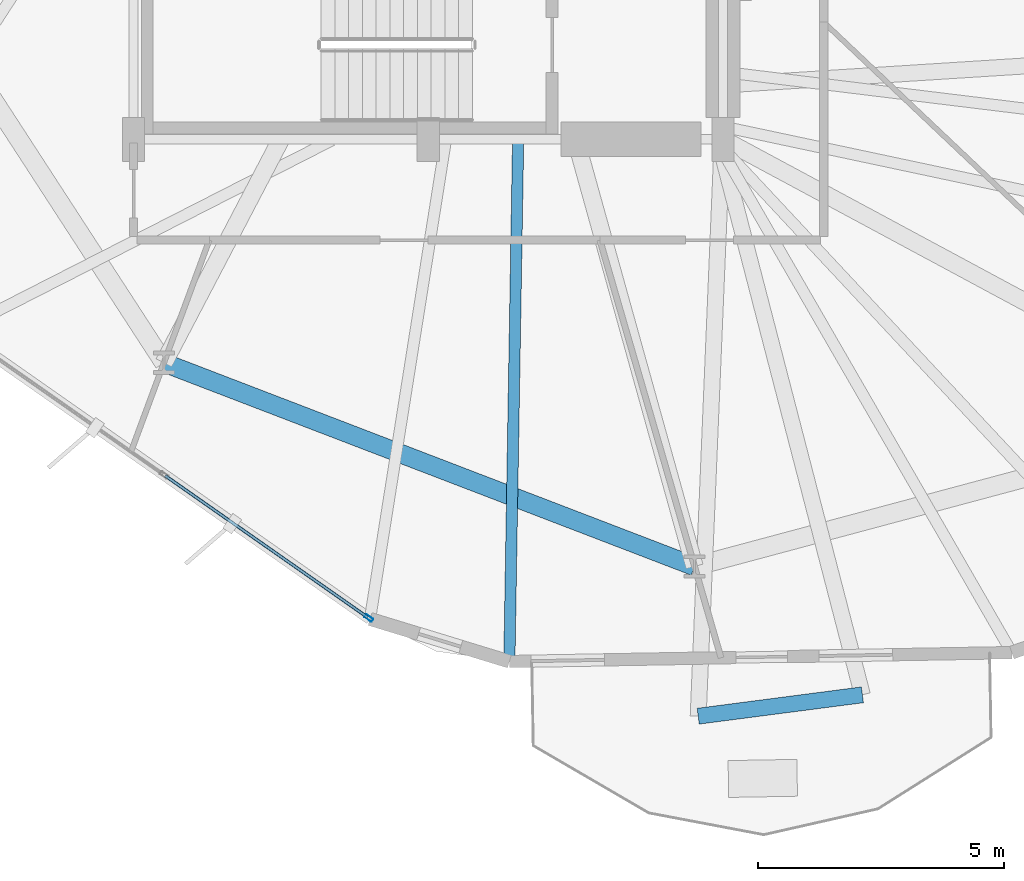
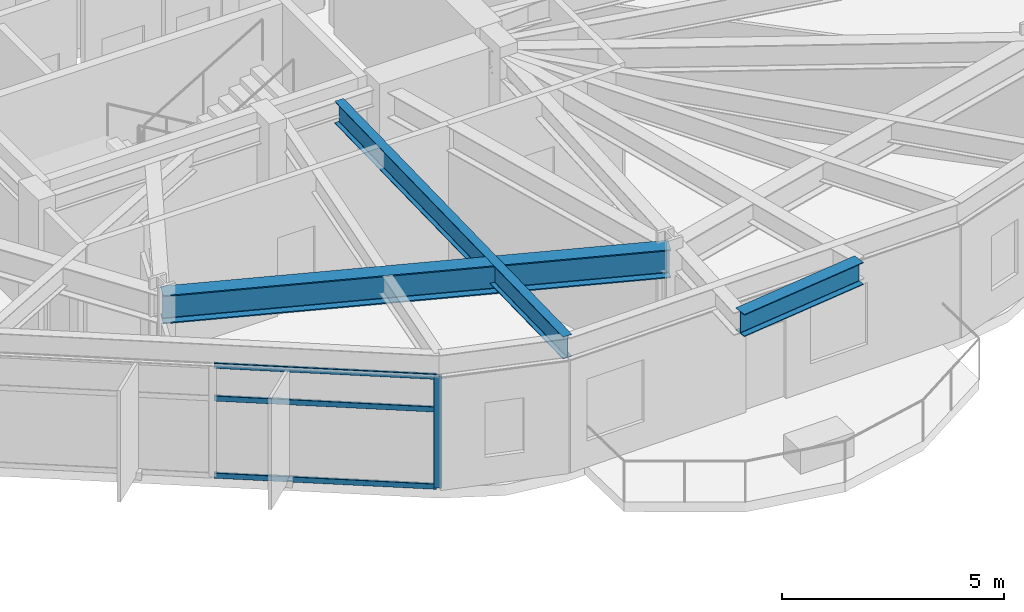
# One storey, part 4 of 23: 4 members, 3 beams, 1 element without a shape of its own.
"""IFC4 building model written with IfcOpenShell, lengths in metres."""

import ifcopenshell
import ifcopenshell.guid

model = None  # the IFC model being written
_history = None  # IfcOwnerHistory: only IFC2X3 demands one
_inside = {}  # id of a spatial element -> (the spatial element, [elements in it])
_under = {}  # id of a project, library or spatial element -> (it, [spatial elements below it])
_declared = {}  # id of a project -> (the project, [libraries it declares])
_typed = {}  # id of a type object -> (the type object, [elements of that type])
_made_of = {}  # id of a material, layer set ... -> (it, [elements and type objects made of it])


def new_model(schema):
    """Start an empty IFC model of exactly this schema.

    Asked for "IFC4X3", IfcOpenShell would pick the latest addendum, in which some entities
    have other attributes; the version numbers below select the first issue.
    IFC2X3 requires an IfcOwnerHistory on every rooted entity: one is made here for all.
    """
    global model, _history
    if schema == "IFC4X3":
        model = ifcopenshell.file(schema_version=(4, 3, 0, 0))
    else:
        model = ifcopenshell.file(schema=schema)
    _inside.clear()
    _under.clear()
    _declared.clear()
    _typed.clear()
    _made_of.clear()
    _history = None
    if model.schema == "IFC2X3":
        org = make("IfcOrganization", Name="unknown")
        user = make(
            "IfcPersonAndOrganization",
            ThePerson=make("IfcPerson", FamilyName="unknown"),
            TheOrganization=org,
        )
        app = make(
            "IfcApplication",
            ApplicationDeveloper=org,
            Version="unknown",
            ApplicationFullName="unknown",
            ApplicationIdentifier="unknown",
        )
        _history = make(
            "IfcOwnerHistory",
            OwningUser=user,
            OwningApplication=app,
            ChangeAction="ADDED",
            CreationDate=0,
        )
    return model


def make(cls, **values):
    """One entity of the class cls with the attributes given. An attribute that is None is left unset."""
    return model.create_entity(
        cls, **{name: value for name, value in values.items() if value is not None}
    )


def rooted(cls, **values):
    """An entity with a GlobalId (a new one), such as an element, a storey or a relation."""
    return make(cls, GlobalId=ifcopenshell.guid.new(), OwnerHistory=_history, **values)


def si_unit(unit_type, name, prefix=None):
    """IfcSIUnit, for example si_unit("LENGTHUNIT", "METRE", prefix="MILLI")."""
    return make("IfcSIUnit", UnitType=unit_type, Prefix=prefix, Name=name)


def assignment(units):
    """IfcUnitAssignment: the units of a project."""
    return None if units is None else make("IfcUnitAssignment", Units=units)


def point(xyz):
    """IfcCartesianPoint."""
    return None if xyz is None else make("IfcCartesianPoint", Coordinates=xyz)


def direction(xyz):
    """IfcDirection."""
    return None if xyz is None else make("IfcDirection", DirectionRatios=xyz)


def frame(location, z_axis=None, x_axis=None):
    """IfcAxis2Placement3D, a coordinate frame: its origin and axes. An axis left out is left unset."""
    return make(
        "IfcAxis2Placement3D",
        Location=point(location),
        Axis=direction(z_axis),
        RefDirection=direction(x_axis),
    )


def frame_2d(location, x_axis=None):
    """IfcAxis2Placement2D, a coordinate frame in the plane: its origin and x axis."""
    return make(
        "IfcAxis2Placement2D", Location=point(location), RefDirection=direction(x_axis)
    )


def origin():
    """The frame at (0, 0, 0) with its axes left unset."""
    return frame((0.0, 0.0, 0.0))


def origin_2d():
    """The frame at (0, 0) in the plane with its x axis left unset."""
    return frame_2d((0.0, 0.0))


def place(relative_to, where):
    """IfcLocalPlacement: puts the frame where relative to a parent placement (None: the world)."""
    return make(
        "IfcLocalPlacement", PlacementRelTo=relative_to, RelativePlacement=where
    )


def context(
    kind, dimensions, precision=None, world=None, true_north=None, identifier=None
):
    """IfcGeometricRepresentationContext, for example the 3D "Model" context."""
    return make(
        "IfcGeometricRepresentationContext",
        ContextIdentifier=identifier,
        ContextType=kind,
        CoordinateSpaceDimension=dimensions,
        Precision=precision,
        WorldCoordinateSystem=world,
        TrueNorth=true_north,
    )


def subcontext(parent, identifier, kind, view, scale=None):
    """IfcGeometricRepresentationSubContext, for example "Body" below "Model"."""
    return make(
        "IfcGeometricRepresentationSubContext",
        ContextIdentifier=identifier,
        ContextType=kind,
        ParentContext=parent,
        TargetScale=scale,
        TargetView=view,
    )


def project(units=None, contexts=None):
    """IfcProject with its units and contexts."""
    return rooted(
        "IfcProject",
        Name="project",
        RepresentationContexts=contexts,
        UnitsInContext=assignment(units),
    )


def spatial(cls, under=None, at=None, **own):
    """A site, building, storey or space (cls), placed at a placement, below another one or the project."""
    s = rooted(cls, ObjectPlacement=at, **own)
    if under is not None:
        _under.setdefault(under.id(), (under, []))[1].append(s)
    return s


def profile(cls, at=None, kind="AREA", **sizes):
    """A parametric profile (cls). Its sizes go by their IFC names, for example OverallWidth=200.0."""
    return make(cls, ProfileType=kind, Position=at, **sizes)


def hollow_rectangle(**sizes):
    """IfcRectangleHollowProfileDef."""
    return profile("IfcRectangleHollowProfileDef", **sizes)


def i_section(**sizes):
    """IfcIShapeProfileDef."""
    return profile("IfcIShapeProfileDef", **sizes)


def extrude(swept, where, along, depth):
    """IfcExtrudedAreaSolid: the profile swept, set in the frame where, extruded along a direction by depth."""
    return make(
        "IfcExtrudedAreaSolid",
        SweptArea=swept,
        Position=where,
        ExtrudedDirection=direction(along),
        Depth=depth,
    )


def shape(context_of_items, identifier, shape_type, items):
    """IfcShapeRepresentation: the items that make up one representation, for example the "Body"."""
    return make(
        "IfcShapeRepresentation",
        ContextOfItems=context_of_items,
        RepresentationIdentifier=identifier,
        RepresentationType=shape_type,
        Items=items,
    )


def material(Name=None, Category=None):
    """IfcMaterial."""
    return make("IfcMaterial", Name=Name, Category=Category)


def layer(
    of_material, thickness, ventilated=None, Name=None, Category=None, Priority=None
):
    """IfcMaterialLayer: one layer of a wall or slab, of a material (None: an air gap)."""
    return make(
        "IfcMaterialLayer",
        Material=of_material,
        LayerThickness=thickness,
        IsVentilated=ventilated,
        Name=Name,
        Category=Category,
        Priority=Priority,
    )


def layer_set(layers, Name=None):
    """IfcMaterialLayerSet."""
    return make("IfcMaterialLayerSet", MaterialLayers=layers, LayerSetName=Name)


def material_profile(
    of_material, cross_section, Name=None, Category=None, Priority=None
):
    """IfcMaterialProfile: a cross section and its material."""
    return make(
        "IfcMaterialProfile",
        Name=Name,
        Material=of_material,
        Profile=cross_section,
        Priority=Priority,
        Category=Category,
    )


def profile_set(profiles, Name=None, composite=None):
    """IfcMaterialProfileSet."""
    return make(
        "IfcMaterialProfileSet",
        Name=Name,
        MaterialProfiles=profiles,
        CompositeProfile=composite,
    )


def made_of(thing, what):
    """Note that an element or type object is made of a material, layer set ...; save() writes the relation."""
    if what is not None:
        _made_of.setdefault(what.id(), (what, []))[1].append(thing)
    return thing


def type_object(cls, material=None, **own):
    """A type object (cls), such as IfcWallType, which elements share."""
    return made_of(rooted(cls, **own), material)


def element(
    cls,
    number,
    at=None,
    inside=None,
    cuts=None,
    type_object=None,
    material=None,
    context=None,
    identifier="Body",
    shape_type=None,
    held_by="IfcProductDefinitionShape",
    body=None,
    shapes=None,
    **own,
):
    """One element of the class cls, such as IfcWall. Its Tag is "e" and its number.

    at: its placement. inside: the storey or other place that contains it. cuts: it is an
    opening in that element (IfcRelVoidsElement). A single representation is given by context,
    identifier, shape_type and body (its items); several are given by shapes. held_by: the class
    of the entity that holds the representations. save() writes the other relations.
    """
    e = rooted(cls, Tag="e%d" % number, ObjectPlacement=at, **own)
    if body is not None:
        shapes = [shape(context, identifier, shape_type, body)]
    if shapes is not None:
        e.Representation = make(held_by, Representations=shapes)
    if inside is not None:
        _inside.setdefault(inside.id(), (inside, []))[1].append(e)
    if cuts is not None:
        rooted(
            "IfcRelVoidsElement", RelatingBuildingElement=cuts, RelatedOpeningElement=e
        )
    if type_object is not None:
        _typed.setdefault(type_object.id(), (type_object, []))[1].append(e)
    return made_of(e, material)


def aggregate(whole, parts):
    """IfcRelAggregates: a whole, such as a stair, and the parts it consists of."""
    return rooted("IfcRelAggregates", RelatingObject=whole, RelatedObjects=parts)


def save(model, path):
    """Write the relations noted so far, then the file.

    IfcRelAggregates (storeys below a building ...), IfcRelContainedInSpatialStructure (elements
    in a storey), IfcRelDefinesByType, IfcRelAssociatesMaterial and IfcRelDeclares: one each for
    every whole, place, type object, material and project.
    """
    for whole, parts in _under.values():
        aggregate(whole, parts)
    for where, things in _inside.values():
        rooted(
            "IfcRelContainedInSpatialStructure",
            RelatedElements=things,
            RelatingStructure=where,
        )
    for kind, things in _typed.values():
        rooted("IfcRelDefinesByType", RelatedObjects=things, RelatingType=kind)
    for what, things in _made_of.values():
        rooted("IfcRelAssociatesMaterial", RelatedObjects=things, RelatingMaterial=what)
    for by, libraries in _declared.values():
        rooted("IfcRelDeclares", RelatingContext=by, RelatedDefinitions=libraries)
    model.write(path)


model = new_model("IFC4")

# Units and contexts
model_context = context("Model", 3, precision=1e-05, world=origin(), true_north=direction((0.0, 1.0)))
body_context = subcontext(model_context, "Body", "Model", "MODEL_VIEW")
ifc_project = project(units=[si_unit("LENGTHUNIT", "METRE"), si_unit("AREAUNIT", "SQUARE_METRE"), si_unit("VOLUMEUNIT", "CUBIC_METRE"), si_unit("PLANEANGLEUNIT", "RADIAN"), si_unit("MASSUNIT", "GRAM", prefix="KILO")], contexts=[model_context])

# Site, building, storey
site_placement = place(None, origin())
site = spatial("IfcSite", under=ifc_project, at=site_placement, CompositionType="ELEMENT")
building_placement = place(site_placement, origin())
building = spatial("IfcBuilding", under=site, at=building_placement, Name="Soratama Intermodal Tower", CompositionType="ELEMENT")
storey_placement = place(building_placement, frame((0.0, 0.0, 30.60009765625)))
storey = spatial("IfcBuildingStorey", under=building, at=storey_placement, Name="L06", CompositionType="ELEMENT", Elevation=30.60009765625)

# Beams
ifc_material_1 = material(Name="Structural steel ASTM A992 Grade 50", Category="steel")
ifc_material_profile_1 = material_profile(ifc_material_1, i_section(OverallWidth=0.324951171875, OverallDepth=0.615966796875, WebThickness=0.013916015625, FlangeThickness=0.021484375, FilletRadius=0.013916015625, at=origin_2d()), Name="W24X117")
ifc_profile_set_1 = profile_set([ifc_material_profile_1], Name="Structural steel ASTM A992 Grade 50")
beam_type_1 = type_object("IfcBeamType", Name="BM-CANT-W24X117", PredefinedType="BEAM", material=ifc_profile_set_1)
beam_1_placement = place(storey_placement, frame((44.094970703125, 3.257080078125, 3.391845703125), z_axis=(0.991647190319, 0.12898003695, 0.0), x_axis=(-0.12898003695, 0.991647190319, 0.0)))
element("IfcBeam", 1, at=beam_1_placement, inside=storey, type_object=beam_type_1, Name="BM-L06-CBHDR-4", PredefinedType="BEAM", context=body_context, shape_type="SweptSolid", body=[
    extrude(i_section(OverallWidth=0.324951171875, OverallDepth=0.615966796875, WebThickness=0.013916015625, FlangeThickness=0.021484375, FilletRadius=0.013916015625, at=origin_2d()), origin(), (0.0, 0.0, 1.0), 3.37109375),
])
ifc_material_2 = material(Name="Structural steel ASTM A992 Grade 50", Category="steel")
ifc_material_profile_2 = material_profile(ifc_material_2, i_section(OverallWidth=0.382080078125, OverallDepth=0.779052734375, WebThickness=0.01806640625, FlangeThickness=0.030029296875, FilletRadius=0.01806640625, at=origin_2d()), Name="W30X191")
ifc_profile_set_2 = profile_set([ifc_material_profile_2], Name="Structural steel ASTM A992 Grade 50")
beam_type_2 = type_object("IfcBeamType", Name="BM-RING-W30X191", PredefinedType="BEAM", material=ifc_profile_set_2)
beam_2_placement = place(storey_placement, frame((33.218994140625, 10.451904296875, 3.310302734375), z_axis=(0.933584159632, -0.358358224246, 0.0), x_axis=(0.358358224246, 0.933584159632, 0.0)))
element("IfcBeam", 2, at=beam_2_placement, inside=storey, type_object=beam_type_2, Name="BM-L06-RING-07", PredefinedType="BEAM", context=body_context, shape_type="SweptSolid", body=[
    extrude(i_section(OverallWidth=0.382080078125, OverallDepth=0.779052734375, WebThickness=0.01806640625, FlangeThickness=0.030029296875, FilletRadius=0.01806640625, at=origin_2d()), origin(), (0.0, 0.0, 1.0), 11.5693359375),
])
ifc_material_3 = material(Name="Structural steel ASTM A992 Grade 50", Category="steel")
ifc_material_profile_3 = material_profile(ifc_material_3, i_section(OverallWidth=0.22900390625, OverallDepth=0.612060546875, WebThickness=0.011962890625, FlangeThickness=0.01953125, FilletRadius=0.012939453125, at=origin_2d()), Name="W24X84")
ifc_profile_set_3 = profile_set([ifc_material_profile_3], Name="Structural steel ASTM A992 Grade 50")
beam_type_3 = type_object("IfcBeamType", Name="BM-TIE-W24X84", PredefinedType="BEAM", material=ifc_profile_set_3)
beam_3_placement = place(storey_placement, frame((40.428955078125, 14.9599609375, 3.393798828125), z_axis=(-0.016802219614, -0.999858832744, 0.0), x_axis=(0.999858832744, -0.016802219614, 0.0)))
element("IfcBeam", 3, at=beam_3_placement, inside=storey, type_object=beam_type_3, Name="BM-L06-TIE0-08", PredefinedType="BEAM", context=body_context, shape_type="SweptSolid", body=[
    extrude(i_section(OverallWidth=0.22900390625, OverallDepth=0.612060546875, WebThickness=0.011962890625, FlangeThickness=0.01953125, FilletRadius=0.012939453125, at=origin_2d()), origin(), (0.0, 0.0, 1.0), 10.592529296875),
])

# Curtain wall, members
ifc_material_4 = material(Name="Double-glazed aluminium curtain wall", Category="aluminium")
ifc_layer = layer(ifc_material_4, 0.159912109375)
ifc_layer_set = layer_set([ifc_layer], Name="Double-glazed aluminium curtain wall")
curtain_wall_type = type_object("IfcCurtainWallType", Name="CW-SYS-2", PredefinedType="NOTDEFINED", material=ifc_layer_set)
curtain_wall_placement = place(storey_placement, origin())
curtain_wall = element("IfcCurtainWall", 4, at=curtain_wall_placement, inside=storey, type_object=curtain_wall_type, Name="L06 Faceted Curtain Wall F07", PredefinedType="NOTDEFINED")
ifc_material_5 = material(Name="Anodised aluminium AA 6063-T6", Category="aluminium")
ifc_material_profile_4 = material_profile(ifc_material_5, hollow_rectangle(XDim=0.074951171875, YDim=0.179931640625, WallThickness=0.006103515625, InnerFilletRadius=0.006103515625, OuterFilletRadius=0.011962890625, at=origin_2d()), Name="CWM180X75X6")
ifc_profile_set_4 = profile_set([ifc_material_profile_4], Name="Anodised aluminium AA 6063-T6")
member_type_1 = type_object("IfcMemberType", Name="MT-CWM-2", PredefinedType="MULLION", material=ifc_profile_set_4)
member_1_placement = place(storey_placement, frame((37.389404296875, 5.2529296875, 0.0), z_axis=(0.0, 0.0, 1.0), x_axis=(0.573295700615, 0.819348545893, 0.0)))
member_1 = element("IfcMember", 5, at=member_1_placement, type_object=member_type_1, Name="CW-2 mullion 3", PredefinedType="MULLION", context=body_context, shape_type="SweptSolid", body=[
    extrude(hollow_rectangle(XDim=0.074951171875, YDim=0.179931640625, WallThickness=0.006103515625, InnerFilletRadius=0.006103515625, OuterFilletRadius=0.011962890625, at=origin_2d()), origin(), (0.0, 0.0, 1.0), 3.078857421875),
])
ifc_material_6 = material(Name="Anodised aluminium AA 6063-T6", Category="aluminium")
ifc_material_profile_5 = material_profile(ifc_material_6, hollow_rectangle(XDim=0.06494140625, YDim=0.14990234375, WallThickness=0.0048828125, InnerFilletRadius=0.0048828125, OuterFilletRadius=0.010009765625, at=origin_2d()), Name="CWT150X65X5")
ifc_profile_set_5 = profile_set([ifc_material_profile_5], Name="Anodised aluminium AA 6063-T6")
member_type_2 = type_object("IfcMemberType", Name="TT-CWT-1", PredefinedType="USERDEFINED", material=ifc_profile_set_5)
member_2_placement = place(storey_placement, frame((33.24755859375, 8.151123046875, 0.02978515625), z_axis=(0.81933461419, -0.573315611151, 0.0), x_axis=(0.573315611151, 0.81933461419, 0.0)))
member_2 = element("IfcMember", 6, at=member_2_placement, type_object=member_type_2, Name="CW-2 transom 2.1", ObjectType="TRANSOM", PredefinedType="USERDEFINED", context=body_context, shape_type="SweptSolid", body=[
    extrude(hollow_rectangle(XDim=0.06494140625, YDim=0.14990234375, WallThickness=0.0048828125, InnerFilletRadius=0.0048828125, OuterFilletRadius=0.010009765625, at=origin_2d()), origin(), (0.0, 0.0, 1.0), 5.025390625),
])
member_3_placement = place(storey_placement, frame((33.24755859375, 8.151123046875, 2.14990234375), z_axis=(0.81933461419, -0.573315611151, 0.0), x_axis=(0.573315611151, 0.81933461419, 0.0)))
member_3 = element("IfcMember", 7, at=member_3_placement, type_object=member_type_2, Name="CW-2 transom 2.2", ObjectType="TRANSOM", PredefinedType="USERDEFINED", context=body_context, shape_type="SweptSolid", body=[
    extrude(hollow_rectangle(XDim=0.06494140625, YDim=0.14990234375, WallThickness=0.0048828125, InnerFilletRadius=0.0048828125, OuterFilletRadius=0.010009765625, at=origin_2d()), origin(), (0.0, 0.0, 1.0), 5.025390625),
])
member_4_placement = place(storey_placement, frame((33.24755859375, 8.151123046875, 3.048828125), z_axis=(0.81933461419, -0.573315611151, 0.0), x_axis=(0.573315611151, 0.81933461419, 0.0)))
member_4 = element("IfcMember", 8, at=member_4_placement, type_object=member_type_2, Name="CW-2 transom 2.3", ObjectType="TRANSOM", PredefinedType="USERDEFINED", context=body_context, shape_type="SweptSolid", body=[
    extrude(hollow_rectangle(XDim=0.06494140625, YDim=0.14990234375, WallThickness=0.0048828125, InnerFilletRadius=0.0048828125, OuterFilletRadius=0.010009765625, at=origin_2d()), origin(), (0.0, 0.0, 1.0), 5.025390625),
])
aggregate(curtain_wall, [member_1, member_2, member_3, member_4])

save(model, "model.ifc")
